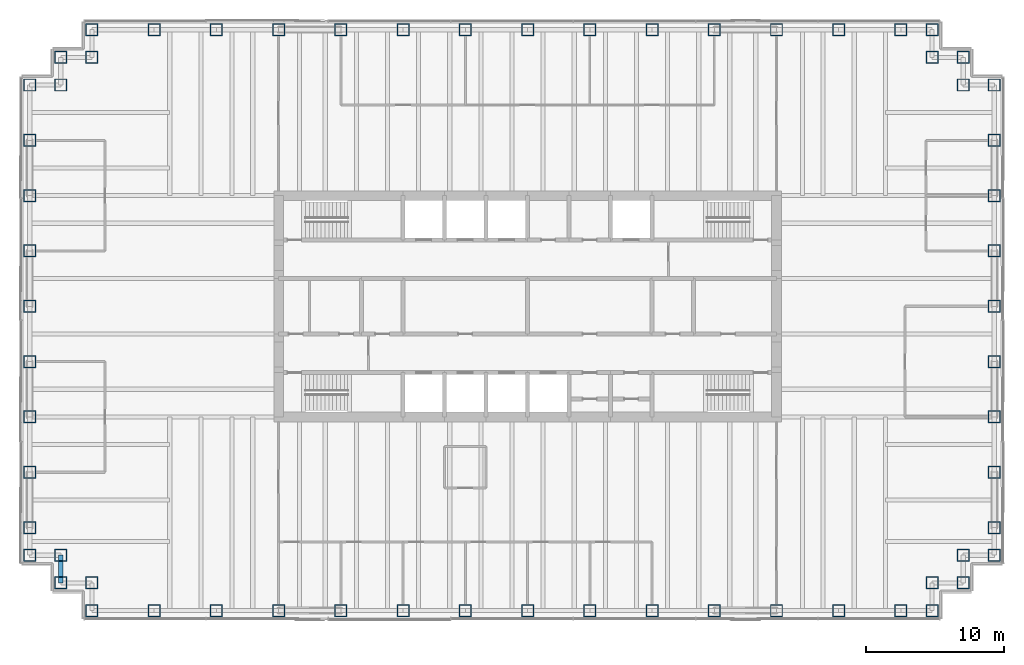
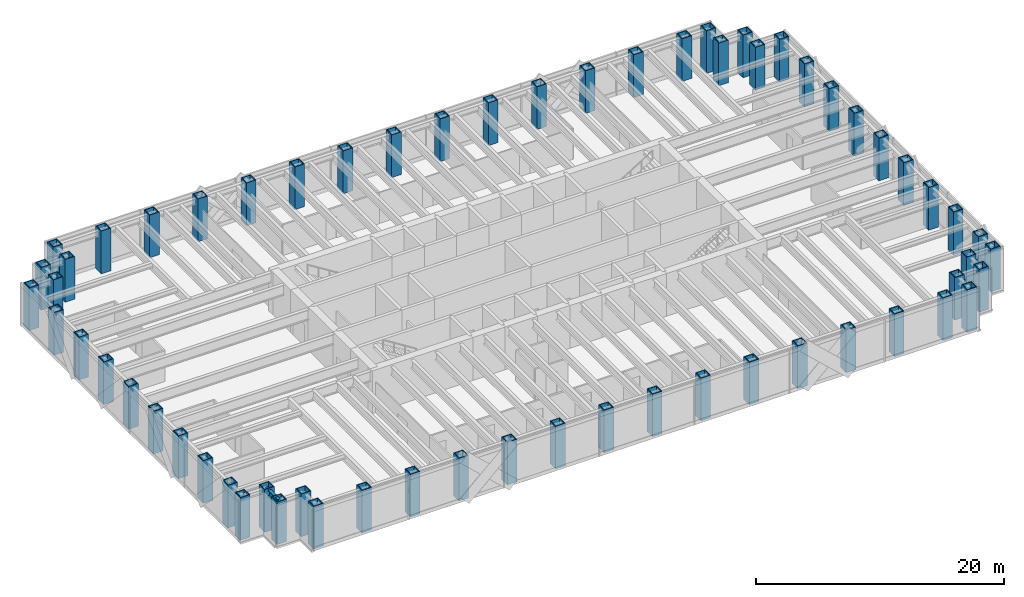
# One storey, part 1 of 17: 62 columns, 1 beam.
"""IFC4 building model written with IfcOpenShell, lengths in metres."""

from ifc_helpers import new_model, si_unit, direction, frame, origin, origin_2d, place, context, subcontext, project, spatial, hollow_rectangle, i_section, extrude, material, material_profile, profile_set, type_object, element, save


model = new_model("IFC4")

# Units and contexts
model_context = context("Model", 3, precision=1e-05, world=origin(), true_north=direction((0.0, 1.0)))
body_context = subcontext(model_context, "Body", "Model", "MODEL_VIEW")
ifc_project = project(units=[si_unit("LENGTHUNIT", "METRE"), si_unit("AREAUNIT", "SQUARE_METRE"), si_unit("VOLUMEUNIT", "CUBIC_METRE"), si_unit("PLANEANGLEUNIT", "RADIAN"), si_unit("MASSUNIT", "GRAM", prefix="KILO")], contexts=[model_context])

# Site, building, storey
site_placement = place(None, origin())
site = spatial("IfcSite", under=ifc_project, at=site_placement, CompositionType="ELEMENT")
building_placement = place(site_placement, origin())
building = spatial("IfcBuilding", under=site, at=building_placement, Name="Rheinbord Bourse Tower", CompositionType="ELEMENT")
storey_placement = place(building_placement, frame((0.0, 0.0, 287.89990234375)))
storey = spatial("IfcBuildingStorey", under=building, at=storey_placement, Name="L65", CompositionType="ELEMENT", Elevation=287.89990234375)

# Columns
ifc_material_1 = material(Name="Steel S460M", Category="steel")
ifc_material_profile_1 = material_profile(ifc_material_1, hollow_rectangle(XDim=0.89990234375, YDim=0.89990234375, WallThickness=0.070068359375, at=origin_2d()), Name="BOX 900x900x70")
ifc_profile_set_1 = profile_set([ifc_material_profile_1], Name="Steel S460M")
column_type = type_object("IfcColumnType", Name="TUBE COLUMN BOX 900x900x70", PredefinedType="COLUMN", material=ifc_profile_set_1)
for number, where, z_axis, x_axis, name in (
    (1, (4.5, 2.0, 0.0), (0.0, 0.0, 1.0), (0.0, 1.0, 0.0), "Column SW-E L65"),
    (2, (9.0, 2.0, 0.0), (0.0, 0.0, 1.0), (0.0, 1.0, 0.0), "Column S-9 L65"),
    (3, (13.5, 2.0, 0.0), (0.0, 0.0, 1.0), (0.0, 1.0, 0.0), "Column S-13.5 L65"),
    (4, (18.0, 2.0, 0.0), (0.0, 0.0, 1.0), (0.0, 1.0, 0.0), "Column S-18 L65"),
    (5, (22.5, 2.0, 0.0), (0.0, 0.0, 1.0), (0.0, 1.0, 0.0), "Column S-22.5 L65"),
    (6, (27.0, 2.0, 0.0), (0.0, 0.0, 1.0), (0.0, 1.0, 0.0), "Column S-27 L65"),
    (7, (31.5, 2.0, 0.0), (0.0, 0.0, 1.0), (0.0, 1.0, 0.0), "Column S-31.5 L65"),
    (8, (36.0, 2.0, 0.0), (0.0, 0.0, 1.0), (0.0, 1.0, 0.0), "Column S-36 L65"),
    (9, (40.5, 2.0, 0.0), (0.0, 0.0, 1.0), (0.0, 1.0, 0.0), "Column S-40.5 L65"),
    (10, (45.0, 2.0, 0.0), (0.0, 0.0, 1.0), (0.0, 1.0, 0.0), "Column S-45 L65"),
    (11, (49.5, 2.0, 0.0), (0.0, 0.0, 1.0), (0.0, 1.0, 0.0), "Column S-49.5 L65"),
    (12, (54.0, 2.0, 0.0), (0.0, 0.0, 1.0), (0.0, 1.0, 0.0), "Column S-54 L65"),
    (13, (58.5, 2.0, 0.0), (0.0, 0.0, 1.0), (0.0, 1.0, 0.0), "Column S-58.5 L65"),
    (14, (63.0, 2.0, 0.0), (0.0, 0.0, 1.0), (0.0, 1.0, 0.0), "Column S-63 L65"),
    (15, (65.25, 2.0, 0.0), (0.0, 0.0, 1.0), (0.0, 1.0, 0.0), "Column SE-E L65"),
    (16, (65.25, 4.0, 0.0), (0.0, 0.0, 1.0), (0.0, 1.0, 0.0), "Column SE-D L65"),
    (17, (67.5, 4.0, 0.0), (0.0, 0.0, 1.0), (1.0, 0.0, 0.0), "Column SE-C L65"),
    (18, (67.5, 6.0, 0.0), (0.0, 0.0, 1.0), (1.0, 0.0, 0.0), "Column SE-B L65"),
    (19, (69.75, 6.0, 0.0), (0.0, 0.0, 1.0), (1.0, 0.0, 0.0), "Column SE-A L65"),
    (20, (69.75, 8.0, 0.0), (0.0, 0.0, 1.0), (1.0, 0.0, 0.0), "Column E-8 L65"),
    (21, (69.75, 12.0, 0.0), (0.0, 0.0, 1.0), (1.0, 0.0, 0.0), "Column E-12 L65"),
    (22, (69.75, 16.0, 0.0), (0.0, 0.0, 1.0), (1.0, 0.0, 0.0), "Column E-16 L65"),
    (23, (69.75, 20.0, 0.0), (0.0, 0.0, 1.0), (1.0, 0.0, 0.0), "Column E-20 L65"),
    (24, (69.75, 24.0, 0.0), (0.0, 0.0, 1.0), (1.0, 0.0, 0.0), "Column E-24 L65"),
    (25, (69.75, 28.0, 0.0), (0.0, 0.0, 1.0), (1.0, 0.0, 0.0), "Column E-28 L65"),
    (26, (69.75, 32.0, 0.0), (0.0, 0.0, 1.0), (1.0, 0.0, 0.0), "Column E-32 L65"),
    (27, (69.75, 36.0, 0.0), (0.0, 0.0, 1.0), (1.0, 0.0, 0.0), "Column E-36 L65"),
    (28, (69.75, 40.0, 0.0), (0.0, 0.0, 1.0), (1.0, 0.0, 0.0), "Column NE-A L65"),
    (29, (67.5, 40.0, 0.0), (0.0, 0.0, 1.0), (1.0, 0.0, 0.0), "Column NE-B L65"),
    (30, (67.5, 42.0, 0.0), (0.0, 0.0, 1.0), (1.0, 0.0, 0.0), "Column NE-C L65"),
    (31, (65.25, 42.0, 0.0), (0.0, 0.0, 1.0), (0.0, 1.0, 0.0), "Column NE-D L65"),
    (32, (65.25, 44.0, 0.0), (0.0, 0.0, 1.0), (0.0, 1.0, 0.0), "Column NE-E L65"),
    (33, (63.0, 44.0, 0.0), (0.0, 0.0, 1.0), (0.0, 1.0, 0.0), "Column N-63 L65"),
    (34, (58.5, 44.0, 0.0), (0.0, 0.0, 1.0), (0.0, 1.0, 0.0), "Column N-58.5 L65"),
    (35, (54.0, 44.0, 0.0), (0.0, 0.0, 1.0), (0.0, 1.0, 0.0), "Column N-54 L65"),
    (36, (49.5, 44.0, 0.0), (0.0, 0.0, 1.0), (0.0, 1.0, 0.0), "Column N-49.5 L65"),
    (37, (45.0, 44.0, 0.0), (0.0, 0.0, 1.0), (0.0, 1.0, 0.0), "Column N-45 L65"),
    (38, (40.5, 44.0, 0.0), (0.0, 0.0, 1.0), (0.0, 1.0, 0.0), "Column N-40.5 L65"),
    (39, (36.0, 44.0, 0.0), (0.0, 0.0, 1.0), (0.0, 1.0, 0.0), "Column N-36 L65"),
    (40, (31.5, 44.0, 0.0), (0.0, 0.0, 1.0), (0.0, 1.0, 0.0), "Column N-31.5 L65"),
    (41, (27.0, 44.0, 0.0), (0.0, 0.0, 1.0), (0.0, 1.0, 0.0), "Column N-27 L65"),
    (42, (22.5, 44.0, 0.0), (0.0, 0.0, 1.0), (0.0, 1.0, 0.0), "Column N-22.5 L65"),
    (43, (18.0, 44.0, 0.0), (0.0, 0.0, 1.0), (0.0, 1.0, 0.0), "Column N-18 L65"),
    (44, (13.5, 44.0, 0.0), (0.0, 0.0, 1.0), (0.0, 1.0, 0.0), "Column N-13.5 L65"),
    (45, (9.0, 44.0, 0.0), (0.0, 0.0, 1.0), (0.0, 1.0, 0.0), "Column N-9 L65"),
    (46, (4.5, 44.0, 0.0), (0.0, 0.0, 1.0), (0.0, 1.0, 0.0), "Column NW-E L65"),
    (47, (4.5, 42.0, 0.0), (0.0, 0.0, 1.0), (0.0, 1.0, 0.0), "Column NW-D L65"),
    (48, (2.25, 42.0, 0.0), (0.0, 0.0, 1.0), (1.0, 0.0, 0.0), "Column NW-C L65"),
    (49, (2.25, 40.0, 0.0), (0.0, 0.0, 1.0), (1.0, 0.0, 0.0), "Column NW-B L65"),
    (50, (0.0, 40.0, 0.0), (0.0, 0.0, 1.0), (1.0, 0.0, 0.0), "Column NW-A L65"),
    (51, (0.0, 36.0, 0.0), (0.0, 0.0, 1.0), (1.0, 0.0, 0.0), "Column W-36 L65"),
    (52, (0.0, 32.0, 0.0), (0.0, 0.0, 1.0), (1.0, 0.0, 0.0), "Column W-32 L65"),
    (53, (0.0, 28.0, 0.0), (0.0, 0.0, 1.0), (1.0, 0.0, 0.0), "Column W-28 L65"),
    (54, (0.0, 24.0, 0.0), (0.0, 0.0, 1.0), (1.0, 0.0, 0.0), "Column W-24 L65"),
    (55, (0.0, 20.0, 0.0), (0.0, 0.0, 1.0), (1.0, 0.0, 0.0), "Column W-20 L65"),
    (56, (0.0, 16.0, 0.0), (0.0, 0.0, 1.0), (1.0, 0.0, 0.0), "Column W-16 L65"),
    (57, (0.0, 12.0, 0.0), (0.0, 0.0, 1.0), (1.0, 0.0, 0.0), "Column W-12 L65"),
    (58, (0.0, 8.0, 0.0), (0.0, 0.0, 1.0), (1.0, 0.0, 0.0), "Column W-8 L65"),
    (59, (0.0, 6.0, 0.0), (0.0, 0.0, 1.0), (1.0, 0.0, 0.0), "Column SW-A L65"),
    (60, (2.25, 6.0, 0.0), (0.0, 0.0, 1.0), (1.0, 0.0, 0.0), "Column SW-B L65"),
    (61, (2.25, 4.0, 0.0), (0.0, 0.0, 1.0), (1.0, 0.0, 0.0), "Column SW-C L65"),
    (62, (4.5, 4.0, 0.0), (0.0, 0.0, 1.0), (0.0, 1.0, 0.0), "Column SW-D L65"),
):
    element("IfcColumn", number, at=place(storey_placement, frame(where, z_axis=z_axis, x_axis=x_axis)), inside=storey, type_object=column_type, Name=name, PredefinedType="COLUMN", context=body_context, shape_type="SweptSolid", body=[
        extrude(hollow_rectangle(XDim=0.89990234375, YDim=0.89990234375, WallThickness=0.070068359375, at=origin_2d()), origin(), (0.0, 0.0, 1.0), 4.2001953125),
    ])

# Beam
ifc_material_2 = material(Name="Steel S460", Category="steel")
ifc_material_profile_2 = material_profile(ifc_material_2, i_section(OverallWidth=0.300048828125, OverallDepth=0.550048828125, WebThickness=0.014892578125, FlangeThickness=0.029052734375, at=origin_2d()), Name="HEB 550")
ifc_profile_set_2 = profile_set([ifc_material_profile_2], Name="Steel S460")
beam_type = type_object("IfcBeamType", Name="SPANDREL HEB 550", PredefinedType="SPANDREL", material=ifc_profile_set_2)
beam_placement = place(storey_placement, frame((2.25, 6.0, 3.76513671875), z_axis=(0.0, -1.0, 0.0), x_axis=(1.0, 0.0, 0.0)))
element("IfcBeam", 63, at=beam_placement, inside=storey, type_object=beam_type, Name="Spandrel SW-B-SW-C under L66", PredefinedType="SPANDREL", context=body_context, shape_type="SweptSolid", body=[
    extrude(i_section(OverallWidth=0.300048828125, OverallDepth=0.550048828125, WebThickness=0.014892578125, FlangeThickness=0.029052734375, at=origin_2d()), origin(), (0.0, 0.0, 1.0), 2.0),
])

save(model, "model.ifc")
